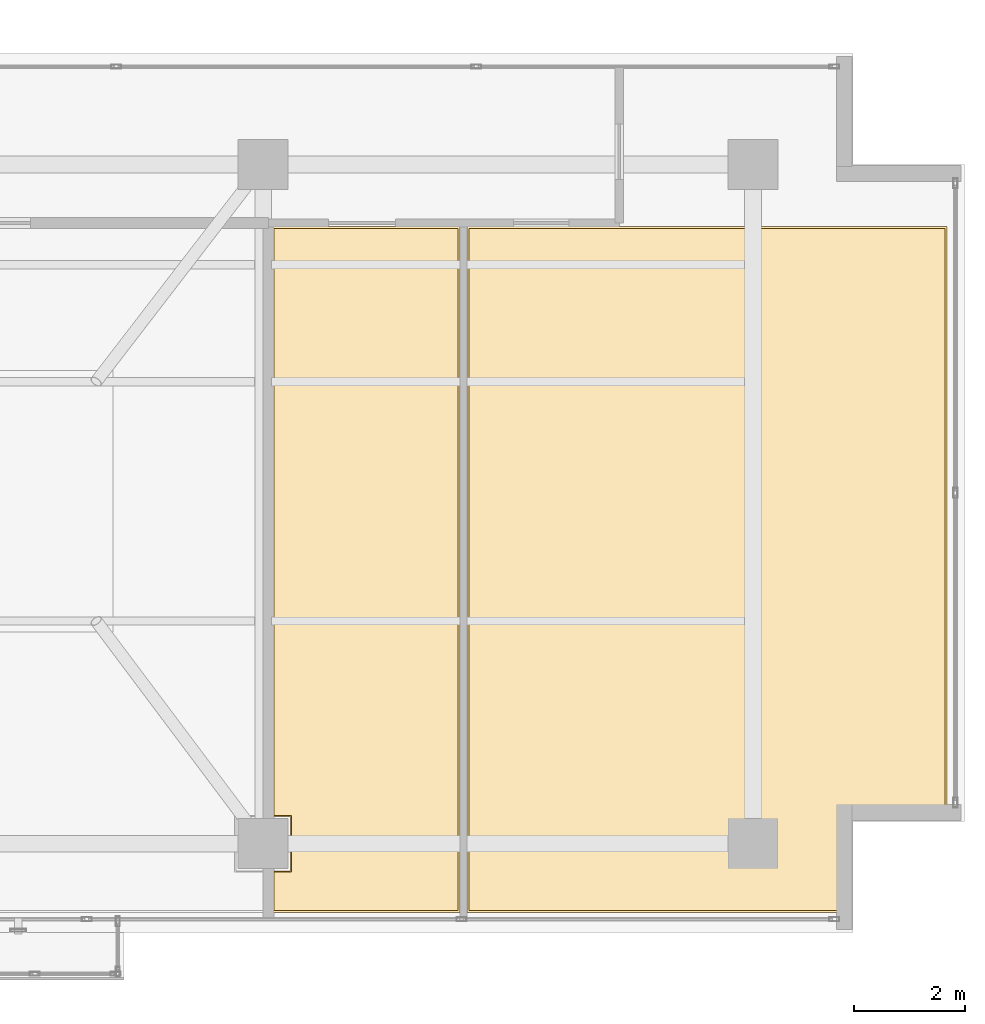
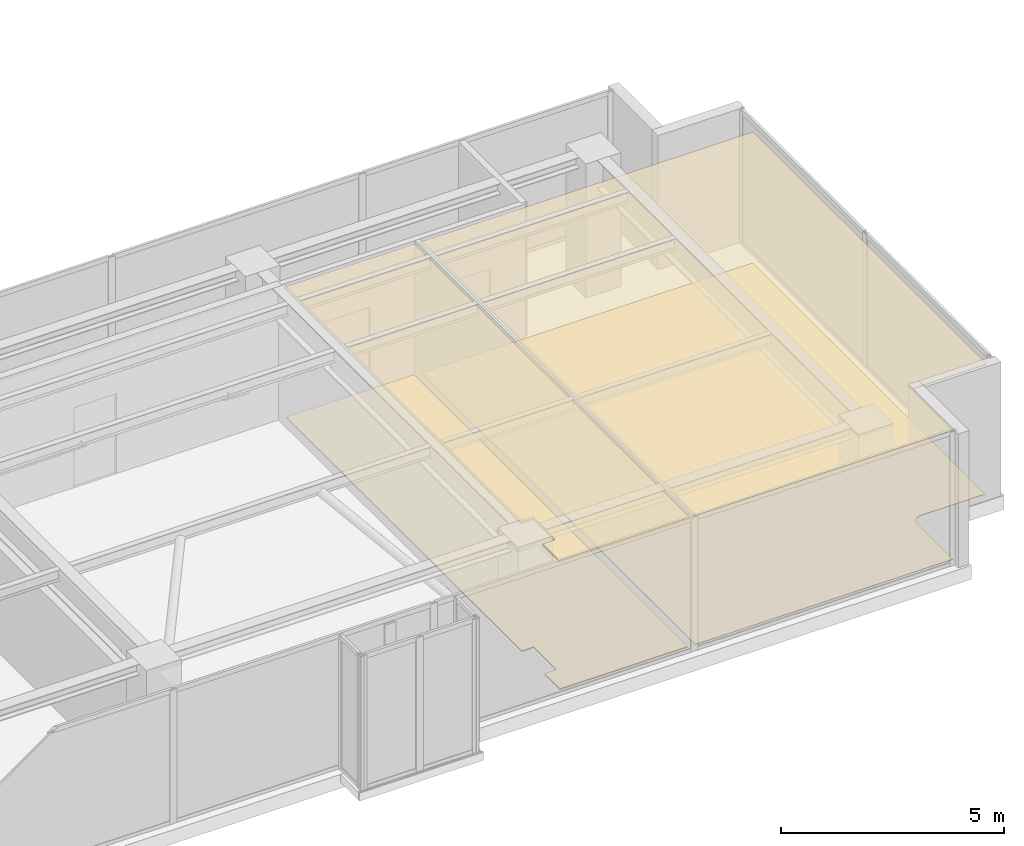
# One storey, part 30 of 31: 4 coverings.
"""IFC4 building model written with IfcOpenShell, lengths in metres."""

from ifc_helpers import new_model, si_unit, direction, frame, origin, place, context, subcontext, project, spatial, polyline, outline, extrude, material, layer, layer_set, type_object, element, save


model = new_model("IFC4")

# Units and contexts
model_context = context("Model", 3, precision=1e-05, world=origin(), true_north=direction((0.0, 1.0)))
body_context = subcontext(model_context, "Body", "Model", "MODEL_VIEW")
ifc_project = project(units=[si_unit("LENGTHUNIT", "METRE"), si_unit("AREAUNIT", "SQUARE_METRE"), si_unit("VOLUMEUNIT", "CUBIC_METRE"), si_unit("PLANEANGLEUNIT", "RADIAN"), si_unit("MASSUNIT", "GRAM", prefix="KILO")], contexts=[model_context])

# Site, building, storey
site_placement = place(None, origin())
site = spatial("IfcSite", under=ifc_project, at=site_placement, CompositionType="ELEMENT")
building_placement = place(site_placement, origin())
building = spatial("IfcBuilding", under=site, at=building_placement, Name="Kolvaren Waterfront Exchange", CompositionType="ELEMENT")
storey_placement = place(building_placement, frame((0.0, 0.0, 344.199951171875)))
storey = spatial("IfcBuildingStorey", under=building, at=storey_placement, Name="L88", CompositionType="ELEMENT", Elevation=344.199951171875)

# Coverings
ifc_material_1 = material(Name="Mineral fibre acoustic ceiling tile")
ifc_layer_1 = layer(ifc_material_1, 0.02490234375, Name="Mineral fibre acoustic ceiling tile")
ifc_layer_set_1 = layer_set([ifc_layer_1], Name="Mineral fibre acoustic ceiling tile")
covering_type_1 = type_object("IfcCoveringType", Name="ARC-CEIL-ACOUSTIC-25", PredefinedType="CEILING", material=ifc_layer_set_1)
covering_1_placement = place(storey_placement, frame((0.0, 0.0, 3.545166015625)))
element("IfcCovering", 1, at=covering_1_placement, inside=storey, type_object=covering_type_1, Name="L88 acoustic suspended ceiling 3", PredefinedType="CEILING", context=body_context, shape_type="SweptSolid", body=[
    extrude(outline(polyline([(49.0849609375, 5.820068359375), (49.0849609375, 16.284912109375), (40.465087890625, 16.284912109375), (40.465087890625, 3.965087890625), (47.179931640625, 3.965087890625), (47.179931640625, 5.820068359375), (49.0849609375, 5.820068359375)])), origin(), (0.0, 0.0, 1.0), 0.02490234375),
])
ifc_material_2 = material(Name="Perforated bronze acoustic ceiling panel", Category="aluminium")
ifc_layer_2 = layer(ifc_material_2, 0.054931640625, Name="Perforated bronze acoustic ceiling panel")
ifc_layer_set_2 = layer_set([ifc_layer_2], Name="Perforated bronze acoustic ceiling panel")
covering_type_2 = type_object("IfcCoveringType", Name="ARC-CEIL-BAFFLE-55", PredefinedType="CEILING", material=ifc_layer_set_2)
covering_2_placement = place(storey_placement, frame((0.0, 0.0, 3.51513671875)))
element("IfcCovering", 2, at=covering_2_placement, inside=storey, type_object=covering_type_2, Name="L88 acoustic suspended ceiling 2", PredefinedType="CEILING", context=body_context, shape_type="SweptSolid", body=[
    extrude(outline(polyline([(36.965087890625, 5.68994140625), (37.2900390625, 5.68994140625), (37.2900390625, 4.7099609375), (36.965087890625, 4.7099609375), (36.965087890625, 3.965087890625), (40.3349609375, 3.965087890625), (40.3349609375, 16.284912109375), (36.965087890625, 16.284912109375), (36.965087890625, 5.68994140625)])), origin(), (0.0, 0.0, 1.0), 0.054931640625),
])
ifc_material_3 = material(Name="Slip-resistant porcelain tile")
ifc_layer_3 = layer(ifc_material_3, 0.014892578125, Name="Slip-resistant porcelain tile")
ifc_layer_set_3 = layer_set([ifc_layer_3], Name="Slip-resistant porcelain tile")
covering_type_3 = type_object("IfcCoveringType", Name="ARC-FLR-PORC-15", PredefinedType="FLOORING", material=ifc_layer_set_3)
covering_3_placement = place(storey_placement, origin())
element("IfcCovering", 3, at=covering_3_placement, inside=storey, type_object=covering_type_3, Name="L88 floor finish 3", PredefinedType="FLOORING", context=body_context, shape_type="SweptSolid", body=[
    extrude(outline(polyline([(40.5, 16.25), (40.5, 4.0), (47.159912109375, 4.0), (47.159912109375, 5.60009765625), (47.1611328125, 5.62353515625), (47.16455078125, 5.646728515625), (47.17041015625, 5.669677734375), (47.17822265625, 5.69189453125), (47.188232421875, 5.713134765625), (47.200439453125, 5.7333984375), (47.214599609375, 5.752197265625), (47.230224609375, 5.769775390625), (47.247802734375, 5.785400390625), (47.2666015625, 5.799560546875), (47.286865234375, 5.811767578125), (47.30810546875, 5.82177734375), (47.330322265625, 5.82958984375), (47.353271484375, 5.83544921875), (47.37646484375, 5.8388671875), (47.39990234375, 5.840087890625), (49.050048828125, 5.840087890625), (49.050048828125, 16.25), (40.5, 16.25)])), origin(), (0.0, 0.0, 1.0), 0.01513671875),
])
ifc_material_4 = material(Name="Polished granite terrazzo tile", Category="masonry")
ifc_layer_4 = layer(ifc_material_4, 0.030029296875, Name="Polished granite terrazzo tile")
ifc_layer_set_4 = layer_set([ifc_layer_4], Name="Polished granite terrazzo tile")
covering_type_4 = type_object("IfcCoveringType", Name="ARC-FLR-TERRAZZO-30", PredefinedType="FLOORING", material=ifc_layer_set_4)
covering_4_placement = place(storey_placement, origin())
element("IfcCovering", 4, at=covering_4_placement, inside=storey, type_object=covering_type_4, Name="L88 floor finish 2", PredefinedType="FLOORING", context=body_context, shape_type="SweptSolid", body=[
    extrude(outline(polyline([(37.0, 4.68994140625), (37.0, 4.0), (40.300048828125, 4.0), (40.300048828125, 16.25), (37.0, 16.25), (37.0, 5.7099609375), (37.31005859375, 5.7099609375), (37.31005859375, 4.68994140625), (37.0, 4.68994140625)])), origin(), (0.0, 0.0, 1.0), 0.030029296875),
])

save(model, "model.ifc")
